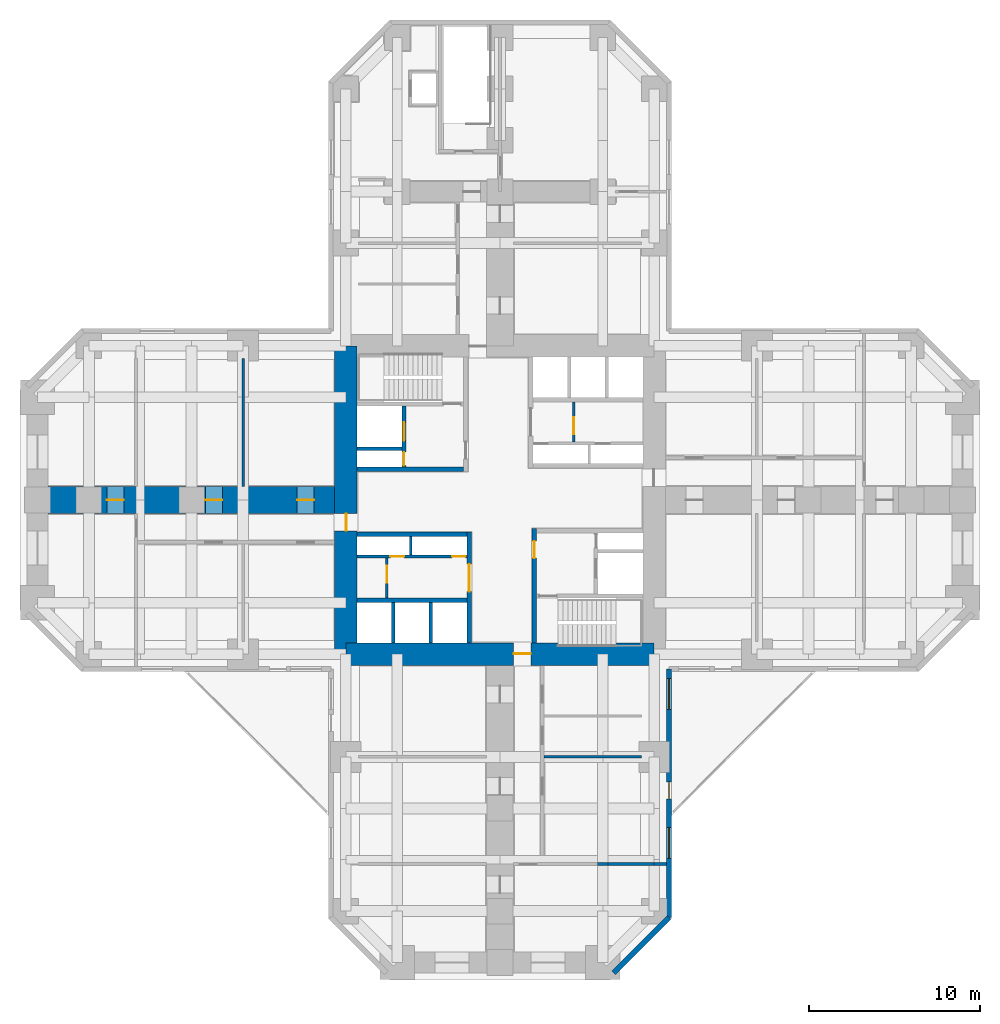
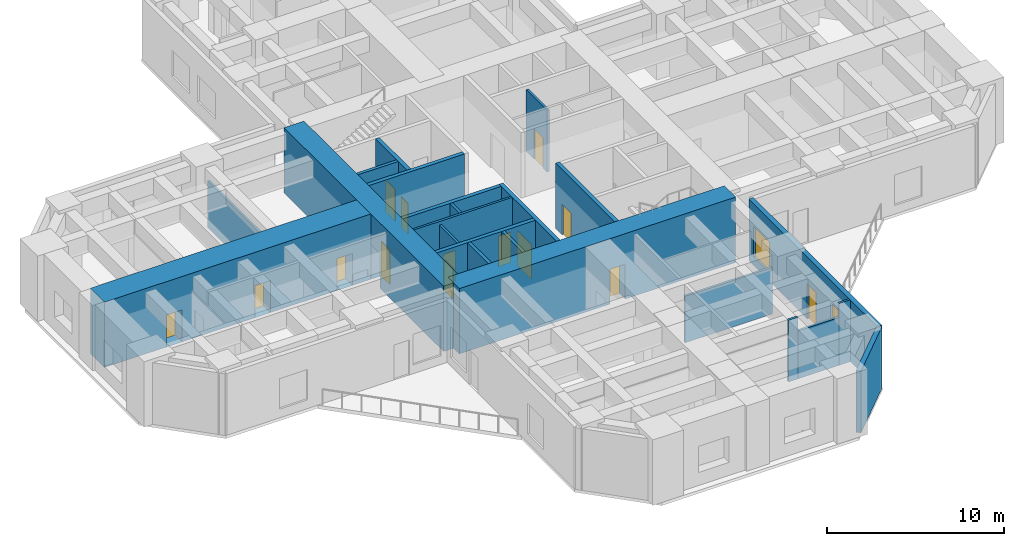
# One storey, part 4 of 8: 23 walls, 14 doors, 2 windows, 16 openings.
"""IFC4 building model written with IfcOpenShell, lengths in metres."""

from ifc_helpers import new_model, si_unit, direction, frame, frame_2d, origin, place, context, subcontext, project, spatial, rectangle, hollow_rectangle, extrude, material, layer, layer_set, constituent, constituent_set, type_object, element, fill, save


model = new_model("IFC4")

# Units and contexts
model_context = context("Model", 3, precision=1e-05, world=origin(), true_north=direction((0.0, 1.0)))
body_context = subcontext(model_context, "Body", "Model", "MODEL_VIEW")
ifc_project = project(units=[si_unit("LENGTHUNIT", "METRE"), si_unit("AREAUNIT", "SQUARE_METRE"), si_unit("VOLUMEUNIT", "CUBIC_METRE"), si_unit("PLANEANGLEUNIT", "RADIAN"), si_unit("MASSUNIT", "GRAM", prefix="KILO")], contexts=[model_context])

# Site, building, storey
site_placement = place(None, origin())
site = spatial("IfcSite", under=ifc_project, at=site_placement, CompositionType="ELEMENT")
building_placement = place(site_placement, origin())
building = spatial("IfcBuilding", under=site, at=building_placement, Name="Torre Cruceta", CompositionType="ELEMENT")
storey_placement = place(building_placement, frame((0.0, 0.0, 14.0)))
storey = spatial("IfcBuildingStorey", under=building, at=storey_placement, Name="L03", CompositionType="ELEMENT", Elevation=14.0)

# Wall
ifc_material_1 = material(Name="Concrete G60 (fck 60 MPa)", Category="concrete")
ifc_layer_1 = layer(ifc_material_1, 0.25)
ifc_layer_set_1 = layer_set([ifc_layer_1], Name="Concrete G60 (fck 60 MPa)")
wall_type_1 = type_object("IfcWallType", Name="CORE INNER WALL 250 G60", PredefinedType="SHEAR", material=ifc_layer_set_1)
wall_1_placement = place(storey_placement, frame((-2.125, 1.800048828125, 0.0), z_axis=(0.0, 0.0, 1.0), x_axis=(-1.0, 0.0, 0.0)))
element("IfcWall", 1, at=wall_1_placement, inside=storey, type_object=wall_type_1, Name="CW4 L03 NW-CV", PredefinedType="SHEAR", context=body_context, shape_type="SweptSolid", body=[
    extrude(rectangle(XDim=6.22509765625, YDim=0.25, at=frame_2d((3.112548828125, 0.0))), origin(), (0.0, 0.0, 1.0), 4.5),
])

# Wall, openings, doors
wall_2_placement = place(storey_placement, frame((-5.60009765625, 1.925048828125, 0.0), z_axis=(0.0, 0.0, 1.0), x_axis=(0.0, 1.0, 0.0)))
wall_2 = element("IfcWall", 2, at=wall_2_placement, inside=storey, type_object=wall_type_1, Name="CW4 L03 NW-FU", PredefinedType="SHEAR", context=body_context, shape_type="SweptSolid", body=[
    extrude(rectangle(XDim=3.550048828125, YDim=0.25, at=frame_2d((1.77490234375, 0.0))), origin(), (0.0, 0.0, 1.0), 4.5),
])
opening_1_placement = place(wall_2_placement, frame((1.52490234375, 0.0, 0.0)))
opening_1 = element("IfcOpeningElement", 3, at=opening_1_placement, cuts=wall_2, Name="Opening LD1", PredefinedType="OPENING", context=body_context, shape_type="SweptSolid", body=[
    extrude(rectangle(XDim=1.10009765625, YDim=2.199951171875, at=frame_2d((0.550048828125, 1.10009765625))), frame((0.0, 0.135009765625, 0.0), z_axis=(0.0, -1.0, 0.0), x_axis=(1.0, 0.0, 0.0)), (0.0, 0.0, 1.0), 0.27001953125),
])
opening_2_placement = place(wall_2_placement, frame((0.074951171875, 0.0, 0.0)))
opening_2 = element("IfcOpeningElement", 4, at=opening_2_placement, cuts=wall_2, Name="Opening D5", PredefinedType="OPENING", context=body_context, shape_type="SweptSolid", body=[
    extrude(rectangle(XDim=0.800048828125, YDim=2.10009765625, at=frame_2d((0.39990234375, 1.050048828125))), frame((0.0, 0.135009765625, 0.0), z_axis=(0.0, -1.0, 0.0), x_axis=(1.0, 0.0, 0.0)), (0.0, 0.0, 1.0), 0.27001953125),
])
ifc_material_2 = material(Name="Stainless steel 1.4401", Category="steel")
door_type_1 = type_object("IfcDoorType", Name="LIFT LANDING DOOR 1100X2200", OperationType="DOUBLE_DOOR_SLIDING", PredefinedType="DOOR", material=ifc_material_2)
door_1_placement = place(opening_1_placement, origin())
door_1 = element("IfcDoor", 5, at=door_1_placement, inside=storey, type_object=door_type_1, Name="Lift landing door FL1", OperationType="DOUBLE_DOOR_SLIDING", OverallHeight=2.199951171875, OverallWidth=1.10009765625, PredefinedType="DOOR", context=body_context, shape_type="SweptSolid", body=[
    extrude(rectangle(XDim=1.10009765625, YDim=2.199951171875, at=frame_2d((0.550048828125, 1.10009765625))), frame((0.0, 0.02490234375, 0.0), z_axis=(0.0, -1.0, 0.0), x_axis=(1.0, 0.0, 0.0)), (0.0, 0.0, 1.0), 0.050048828125),
])
fill(opening_1, door_1)
ifc_material_3 = material(Name="Steel DX51D", Category="steel")
ifc_constituent_1 = constituent(ifc_material_3, Name="Leaf and frame")
ifc_material_4 = material(Name="Polyester powder coating", Category="paint")
ifc_constituent_2 = constituent(ifc_material_4, Name="Finish")
ifc_constituent_set_1 = constituent_set(constituents=[ifc_constituent_1, ifc_constituent_2], Name="Steel fire door")
door_type_2 = type_object("IfcDoorType", Name="RISER ACCESS DOOR 800X2100", OperationType="SINGLE_SWING_LEFT", PredefinedType="DOOR", material=ifc_constituent_set_1)
door_2_placement = place(opening_2_placement, origin())
door_2 = element("IfcDoor", 6, at=door_2_placement, inside=storey, type_object=door_type_2, Name="D5 L03 NW-RISER", OperationType="SINGLE_SWING_LEFT", OverallHeight=2.10009765625, OverallWidth=0.800048828125, PredefinedType="DOOR", context=body_context, shape_type="SweptSolid", body=[
    extrude(rectangle(XDim=0.800048828125, YDim=2.10009765625, at=frame_2d((0.39990234375, 1.050048828125))), frame((0.0, 0.02490234375, 0.0), z_axis=(0.0, -1.0, 0.0), x_axis=(1.0, 0.0, 0.0)), (0.0, 0.0, 1.0), 0.050048828125),
])
fill(opening_2, door_2)

# Wall, opening, door
wall_3_placement = place(storey_placement, frame((-1.800048828125, -1.875, 0.0), z_axis=(0.0, 0.0, 1.0), x_axis=(0.0, -1.0, 0.0)))
wall_3 = element("IfcWall", 7, at=wall_3_placement, inside=storey, type_object=wall_type_1, Name="CW4 L03 SW-CU", PredefinedType="SHEAR", context=body_context, shape_type="SweptSolid", body=[
    extrude(rectangle(XDim=6.47509765625, YDim=0.25, at=frame_2d((3.237548828125, 0.0))), origin(), (0.0, 0.0, 1.0), 4.5),
])
opening_3_placement = place(wall_3_placement, frame((1.875, 0.0, 0.0)))
opening_3 = element("IfcOpeningElement", 8, at=opening_3_placement, cuts=wall_3, Name="Opening D15", PredefinedType="OPENING", context=body_context, shape_type="SweptSolid", body=[
    extrude(rectangle(XDim=1.60009765625, YDim=2.39990234375, at=frame_2d((0.800048828125, 1.199951171875))), frame((0.0, 0.135009765625, 0.0), z_axis=(0.0, -1.0, 0.0), x_axis=(1.0, 0.0, 0.0)), (0.0, 0.0, 1.0), 0.27001953125),
])
ifc_material_5 = material(Name="Steel DX51D", Category="steel")
ifc_constituent_3 = constituent(ifc_material_5, Name="Leaf and frame")
ifc_material_6 = material(Name="Polyester powder coating", Category="paint")
ifc_constituent_4 = constituent(ifc_material_6, Name="Finish")
ifc_constituent_set_2 = constituent_set(constituents=[ifc_constituent_3, ifc_constituent_4], Name="Steel fire door")
door_type_3 = type_object("IfcDoorType", Name="CORE ROOM DOUBLE DOOR 1600X2400", OperationType="DOUBLE_DOOR_SINGLE_SWING", PredefinedType="DOOR", material=ifc_constituent_set_2)
door_3_placement = place(opening_3_placement, frame((1.60009765625, 0.0, 0.0), z_axis=(0.0, 0.0, 1.0), x_axis=(-1.0, 0.0, 0.0)))
door_3 = element("IfcDoor", 9, at=door_3_placement, inside=storey, type_object=door_type_3, Name="D15 L03 SW-LOBBY", OperationType="DOUBLE_DOOR_SINGLE_SWING", OverallHeight=2.39990234375, OverallWidth=1.60009765625, PredefinedType="DOOR", context=body_context, shape_type="SweptSolid", body=[
    extrude(rectangle(XDim=1.60009765625, YDim=2.39990234375, at=frame_2d((0.800048828125, 1.199951171875))), frame((0.0, 0.025146484375, 0.0), z_axis=(0.0, -1.0, 0.0), x_axis=(1.0, 0.0, 0.0)), (0.0, 0.0, 1.0), 0.050048828125),
])
fill(opening_3, door_3)

# Walls
for number, where, z_axis, x_axis, name in (
    (10, (-1.925048828125, -2.0, 0.0), (0.0, 0.0, 1.0), (-1.0, 0.0, 0.0), "CW4 L03 SW-CV"),
    (11, (-1.925048828125, -5.85009765625, 0.0), (0.0, 0.0, 1.0), (-1.0, 0.0, 0.0), "CW4 L03 SW-LV"),
):
    element("IfcWall", number, at=place(storey_placement, frame(where, z_axis=z_axis, x_axis=x_axis)), inside=storey, type_object=wall_type_1, Name=name, PredefinedType="SHEAR", context=body_context, shape_type="SweptSolid", body=[
        extrude(rectangle(XDim=6.425048828125, YDim=0.25, at=frame_2d((3.21240234375, 0.0))), origin(), (0.0, 0.0, 1.0), 4.5),
    ])

# Wall, opening, door
wall_4_placement = place(storey_placement, frame((2.0, -1.675048828125, 0.0), z_axis=(0.0, 0.0, 1.0), x_axis=(0.0, -1.0, 0.0)))
wall_4 = element("IfcWall", 12, at=wall_4_placement, inside=storey, type_object=wall_type_1, Name="CW4 L03 SE-CU", PredefinedType="SHEAR", context=body_context, shape_type="SweptSolid", body=[
    extrude(rectangle(XDim=6.675048828125, YDim=0.25, at=frame_2d((3.33740234375, 0.0))), origin(), (0.0, 0.0, 1.0), 4.5),
])
opening_4_placement = place(wall_4_placement, frame((0.72509765625, 0.0, 0.0)))
opening_4 = element("IfcOpeningElement", 13, at=opening_4_placement, cuts=wall_4, Name="Opening D3", PredefinedType="OPENING", context=body_context, shape_type="SweptSolid", body=[
    extrude(rectangle(XDim=1.0, YDim=2.10009765625, at=frame_2d((0.5, 1.050048828125))), frame((0.0, 0.135009765625, 0.0), z_axis=(0.0, -1.0, 0.0), x_axis=(1.0, 0.0, 0.0)), (0.0, 0.0, 1.0), 0.27001953125),
])
ifc_material_7 = material(Name="Steel DX51D", Category="steel")
ifc_constituent_5 = constituent(ifc_material_7, Name="Leaf and frame")
ifc_material_8 = material(Name="Polyester powder coating", Category="paint")
ifc_constituent_6 = constituent(ifc_material_8, Name="Finish")
ifc_constituent_set_3 = constituent_set(constituents=[ifc_constituent_5, ifc_constituent_6], Name="Steel fire door")
door_type_4 = type_object("IfcDoorType", Name="FIRE DOOR 1000X2100", OperationType="SINGLE_SWING_LEFT", PredefinedType="DOOR", material=ifc_constituent_set_3)
door_4_placement = place(opening_4_placement, origin())
door_4 = element("IfcDoor", 14, at=door_4_placement, inside=storey, type_object=door_type_4, Name="D3 L03 SE-LOBBY", OperationType="SINGLE_SWING_LEFT", OverallHeight=2.10009765625, OverallWidth=1.0, PredefinedType="DOOR", context=body_context, shape_type="SweptSolid", body=[
    extrude(rectangle(XDim=1.0, YDim=2.10009765625, at=frame_2d((0.5, 1.050048828125))), frame((0.0, 0.02490234375, 0.0), z_axis=(0.0, -1.0, 0.0), x_axis=(1.0, 0.0, 0.0)), (0.0, 0.0, 1.0), 0.050048828125),
])
fill(opening_4, door_4)

ifc_material_9 = material(Name="Concrete G60 (fck 60 MPa)", Category="concrete")
ifc_layer_2 = layer(ifc_material_9, 1.300048828125)
ifc_layer_set_2 = layer_set([ifc_layer_2], Name="Concrete G60 (fck 60 MPa)")
wall_type_2 = type_object("IfcWallType", Name="CORE WALL 1300 G60", PredefinedType="SHEAR", material=ifc_layer_set_2)
wall_5_placement = place(storey_placement, frame((-9.0, -9.0, 0.0), z_axis=(0.0, 0.0, 1.0), x_axis=(1.0, 0.0, 0.0)))
wall_5 = element("IfcWall", 15, at=wall_5_placement, inside=storey, type_object=wall_type_2, Name="CW1 L03 CW-S", PredefinedType="SHEAR", context=body_context, shape_type="SweptSolid", body=[
    extrude(rectangle(XDim=18.0, YDim=1.300048828125, at=frame_2d((9.0, 0.0))), origin(), (0.0, 0.0, 1.0), 4.5),
])
opening_5_placement = place(wall_5_placement, frame((9.800048828125, 0.0, 0.0)))
opening_5 = element("IfcOpeningElement", 16, at=opening_5_placement, cuts=wall_5, Name="Opening D4", PredefinedType="OPENING", context=body_context, shape_type="SweptSolid", body=[
    extrude(rectangle(XDim=1.0, YDim=2.39990234375, at=frame_2d((0.5, 1.199951171875))), frame((0.0, 0.659912109375, 0.0), z_axis=(0.0, -1.0, 0.0), x_axis=(1.0, 0.0, 0.0)), (0.0, 0.0, 1.0), 1.320068359375),
])
ifc_material_10 = material(Name="Steel DX51D", Category="steel")
ifc_constituent_7 = constituent(ifc_material_10, Name="Leaf and frame")
ifc_material_11 = material(Name="Polyester powder coating", Category="paint")
ifc_constituent_8 = constituent(ifc_material_11, Name="Finish")
ifc_constituent_set_4 = constituent_set(constituents=[ifc_constituent_7, ifc_constituent_8], Name="Steel fire door")
door_type_5 = type_object("IfcDoorType", Name="CORE ARM DOOR 1000X2400", OperationType="SINGLE_SWING_RIGHT", PredefinedType="DOOR", material=ifc_constituent_set_4)
door_5_placement = place(opening_5_placement, origin())
door_5 = element("IfcDoor", 17, at=door_5_placement, inside=storey, type_object=door_type_5, Name="D4 L03 CW-S", OperationType="SINGLE_SWING_RIGHT", OverallHeight=2.39990234375, OverallWidth=1.0, PredefinedType="DOOR", context=body_context, shape_type="SweptSolid", body=[
    extrude(rectangle(XDim=1.0, YDim=2.39990234375, at=frame_2d((0.5, 1.199951171875))), frame((0.0, 0.05517578125, 0.0), z_axis=(0.0, -1.0, 0.0), x_axis=(1.0, 0.0, 0.0)), (0.0, 0.0, 1.0), 0.050048828125),
])
fill(opening_5, door_5)

wall_6_placement = place(storey_placement, frame((-9.0, 9.0, 0.0), z_axis=(0.0, 0.0, 1.0), x_axis=(0.0, -1.0, 0.0)))
wall_6 = element("IfcWall", 18, at=wall_6_placement, inside=storey, type_object=wall_type_2, Name="CW1 L03 CW-W", PredefinedType="SHEAR", context=body_context, shape_type="SweptSolid", body=[
    extrude(rectangle(XDim=18.0, YDim=1.300048828125, at=frame_2d((9.0, 0.0))), origin(), (0.0, 0.0, 1.0), 4.5),
])
opening_6_placement = place(wall_6_placement, frame((9.800048828125, 0.0, 0.0)))
opening_6 = element("IfcOpeningElement", 19, at=opening_6_placement, cuts=wall_6, Name="Opening D4", PredefinedType="OPENING", context=body_context, shape_type="SweptSolid", body=[
    extrude(rectangle(XDim=1.0, YDim=2.39990234375, at=frame_2d((0.5, 1.199951171875))), frame((0.0, 0.659912109375, 0.0), z_axis=(0.0, -1.0, 0.0), x_axis=(1.0, 0.0, 0.0)), (0.0, 0.0, 1.0), 1.320068359375),
])
door_6_placement = place(opening_6_placement, origin())
door_6 = element("IfcDoor", 20, at=door_6_placement, inside=storey, type_object=door_type_5, Name="D4 L03 CW-W", OperationType="SINGLE_SWING_RIGHT", OverallHeight=2.39990234375, OverallWidth=1.0, PredefinedType="DOOR", context=body_context, shape_type="SweptSolid", body=[
    extrude(rectangle(XDim=1.0, YDim=2.39990234375, at=frame_2d((0.5, 1.199951171875))), frame((0.0, 0.05517578125, 0.0), z_axis=(0.0, -1.0, 0.0), x_axis=(1.0, 0.0, 0.0)), (0.0, 0.0, 1.0), 0.050048828125),
])
fill(opening_6, door_6)

# Wall
ifc_material_12 = material(Name="Concrete G30 (fck 30 MPa)", Category="concrete")
ifc_layer_3 = layer(ifc_material_12, 0.300048828125)
ifc_layer_set_3 = layer_set([ifc_layer_3], Name="Concrete G30 (fck 30 MPa)")
wall_type_3 = type_object("IfcWallType", Name="EXPOSED CONCRETE FACADE WALL 300", PredefinedType="SOLIDWALL", material=ifc_layer_set_3)
wall_7_placement = place(storey_placement, frame((6.63037109375, -27.60009765625, 0.0), z_axis=(0.0, 0.0, 1.0), x_axis=(0.707106781187, 0.707106781187, 0.0)))
element("IfcWall", 21, at=wall_7_placement, inside=storey, type_object=wall_type_3, Name="EW1 facade wall L03 S chamfer 18", PredefinedType="SOLIDWALL", context=body_context, shape_type="SweptSolid", body=[
    extrude(rectangle(XDim=4.581787109375, YDim=0.300048828125, at=frame_2d((2.291015625, 0.0))), origin(), (0.0, 0.0, 1.0), 4.25),
])

# Wall, openings, door, windows
wall_8_placement = place(storey_placement, frame((9.8701171875, -24.3603515625, 0.0), z_axis=(0.0, 0.0, 1.0), x_axis=(0.0, 1.0, 0.0)))
wall_8 = element("IfcWall", 22, at=wall_8_placement, inside=storey, type_object=wall_type_3, Name="EW1 facade wall L03 S side 19", PredefinedType="SOLIDWALL", context=body_context, shape_type="SweptSolid", body=[
    extrude(rectangle(XDim=14.490234375, YDim=0.300048828125, at=frame_2d((7.2451171875, 0.0))), origin(), (0.0, 0.0, 1.0), 4.25),
])
opening_7_placement = place(wall_8_placement, frame((6.89990234375, 0.0, 0.0)))
opening_7 = element("IfcOpeningElement", 23, at=opening_7_placement, cuts=wall_8, Name="Opening D11", PredefinedType="OPENING", context=body_context, shape_type="SweptSolid", body=[
    extrude(rectangle(XDim=1.0, YDim=2.39990234375, at=frame_2d((0.5, 1.199951171875))), frame((0.0, 0.159912109375, 0.0), z_axis=(0.0, -1.0, 0.0), x_axis=(1.0, 0.0, 0.0)), (0.0, 0.0, 1.0), 0.320068359375),
])
opening_8_placement = place(wall_8_placement, frame((3.447021484375, 0.0, 0.60009765625)))
opening_8 = element("IfcOpeningElement", 24, at=opening_8_placement, cuts=wall_8, Name="Opening WN4", PredefinedType="OPENING", context=body_context, shape_type="SweptSolid", body=[
    extrude(rectangle(XDim=1.800048828125, YDim=2.10009765625, at=frame_2d((0.89990234375, 1.050048828125))), frame((0.0, 0.159912109375, 0.0), z_axis=(0.0, -1.0, 0.0), x_axis=(1.0, 0.0, 0.0)), (0.0, 0.0, 1.0), 0.320068359375),
])
opening_9_placement = place(wall_8_placement, frame((12.141357421875, 0.0, 0.60009765625)))
opening_9 = element("IfcOpeningElement", 25, at=opening_9_placement, cuts=wall_8, Name="Opening WN4", PredefinedType="OPENING", context=body_context, shape_type="SweptSolid", body=[
    extrude(rectangle(XDim=1.800048828125, YDim=2.10009765625, at=frame_2d((0.89990234375, 1.050048828125))), frame((0.0, 0.159912109375, 0.0), z_axis=(0.0, -1.0, 0.0), x_axis=(1.0, 0.0, 0.0)), (0.0, 0.0, 1.0), 0.320068359375),
])
ifc_material_13 = material(Name="Aluminium door frame", Category="aluminium")
ifc_constituent_9 = constituent(ifc_material_13, Name="Frame")
ifc_material_14 = material(Name="Laminated safety glass", Category="glass")
ifc_constituent_10 = constituent(ifc_material_14, Name="Glazing")
ifc_constituent_set_5 = constituent_set(constituents=[ifc_constituent_9, ifc_constituent_10], Name="Aluminium glazed door")
door_type_6 = type_object("IfcDoorType", Name="TERRACE DOOR 1000X2400", OperationType="SINGLE_SWING_LEFT", PredefinedType="DOOR", material=ifc_constituent_set_5)
door_7_placement = place(opening_7_placement, origin())
door_7 = element("IfcDoor", 26, at=door_7_placement, inside=storey, type_object=door_type_6, Name="D11 terrace door L03 S", OperationType="SINGLE_SWING_LEFT", OverallHeight=2.39990234375, OverallWidth=1.0, PredefinedType="DOOR", context=body_context, shape_type="SweptSolid", body=[
    extrude(hollow_rectangle(XDim=1.0, YDim=2.39990234375, WallThickness=0.06005859375, at=frame_2d((0.5, 1.199951171875))), frame((0.0, 0.02490234375, 0.0), z_axis=(0.0, -1.0, 0.0), x_axis=(1.0, 0.0, 0.0)), (0.0, 0.0, 1.0), 0.050048828125),
    extrude(rectangle(XDim=0.87890625, YDim=2.27880859375, at=frame_2d((0.5, 1.199951171875))), frame((0.0, 0.02490234375, 0.0), z_axis=(0.0, -1.0, 0.0), x_axis=(1.0, 0.0, 0.0)), (0.0, 0.0, 1.0), 0.050048828125),
])
fill(opening_7, door_7)
ifc_material_15 = material(Name="Aluminium window frame", Category="aluminium")
ifc_constituent_11 = constituent(ifc_material_15, Name="Frame")
ifc_material_16 = material(Name="Laminated insulating glass unit, low-iron clear", Category="glass")
ifc_constituent_12 = constituent(ifc_material_16, Name="Glazing")
ifc_constituent_set_6 = constituent_set(constituents=[ifc_constituent_11, ifc_constituent_12], Name="Aluminium window")
window_type = type_object("IfcWindowType", Name="TERRACE FRONT WINDOW 1800X2100", PartitioningType="SINGLE_PANEL", PredefinedType="WINDOW", material=ifc_constituent_set_6)
window_1_placement = place(opening_8_placement, origin())
window_1 = element("IfcWindow", 27, at=window_1_placement, inside=storey, type_object=window_type, Name="WN4 L03 S 2", OverallHeight=2.10009765625, OverallWidth=1.800048828125, PartitioningType="SINGLE_PANEL", PredefinedType="WINDOW", context=body_context, shape_type="SweptSolid", body=[
    extrude(hollow_rectangle(XDim=1.800048828125, YDim=2.10009765625, WallThickness=0.06005859375, at=frame_2d((0.89990234375, 1.050048828125))), frame((0.0, 0.030029296875, 0.0), z_axis=(0.0, -1.0, 0.0), x_axis=(1.0, 0.0, 0.0)), (0.0, 0.0, 1.0), 0.06005859375),
    extrude(rectangle(XDim=1.678955078125, YDim=1.97900390625, at=frame_2d((0.89990234375, 1.050048828125))), frame((0.0, 0.030029296875, 0.0), z_axis=(0.0, -1.0, 0.0), x_axis=(1.0, 0.0, 0.0)), (0.0, 0.0, 1.0), 0.06005859375),
])
fill(opening_8, window_1)
window_2_placement = place(opening_9_placement, origin())
window_2 = element("IfcWindow", 28, at=window_2_placement, inside=storey, type_object=window_type, Name="WN4 L03 S 5", OverallHeight=2.10009765625, OverallWidth=1.800048828125, PartitioningType="SINGLE_PANEL", PredefinedType="WINDOW", context=body_context, shape_type="SweptSolid", body=[
    extrude(hollow_rectangle(XDim=1.800048828125, YDim=2.10009765625, WallThickness=0.06005859375, at=frame_2d((0.89990234375, 1.050048828125))), frame((0.0, 0.030029296875, 0.0), z_axis=(0.0, -1.0, 0.0), x_axis=(1.0, 0.0, 0.0)), (0.0, 0.0, 1.0), 0.06005859375),
    extrude(rectangle(XDim=1.678955078125, YDim=1.97900390625, at=frame_2d((0.89990234375, 1.050048828125))), frame((0.0, 0.030029296875, 0.0), z_axis=(0.0, -1.0, 0.0), x_axis=(1.0, 0.0, 0.0)), (0.0, 0.0, 1.0), 0.06005859375),
])
fill(opening_9, window_2)

# Walls
ifc_material_17 = material(Name="Concrete G35 (fck 35 MPa)", Category="concrete")
ifc_layer_4 = layer(ifc_material_17, 0.199951171875)
ifc_layer_set_4 = layer_set([ifc_layer_4], Name="Concrete G35 (fck 35 MPa)")
wall_type_4 = type_object("IfcWallType", Name="LIFT SHAFT WALL 200", PredefinedType="PARTITIONING", material=ifc_layer_set_4)
wall_9_placement = place(storey_placement, frame((-5.72509765625, 3.0, 0.0), z_axis=(0.0, 0.0, 1.0), x_axis=(-1.0, 0.0, 0.0)))
element("IfcWall", 29, at=wall_9_placement, inside=storey, type_object=wall_type_4, Name="SW1 L03 NW-FR", PredefinedType="PARTITIONING", context=body_context, shape_type="SweptSolid", body=[
    extrude(rectangle(XDim=2.625, YDim=0.199951171875, at=frame_2d((1.3125, 0.0))), origin(), (0.0, 0.0, 1.0), 4.5),
])
for number, where, z_axis, x_axis, name in (
    (30, (-4.033447265625, -5.97509765625, 0.0), (0.0, 0.0, 1.0), (0.0, -1.0, 0.0), "SW1 L03 SW-LS1"),
    (31, (-6.24169921875, -5.97509765625, 0.0), (0.0, 0.0, 1.0), (0.0, -1.0, 0.0), "SW1 L03 SW-LS2"),
):
    element("IfcWall", number, at=place(storey_placement, frame(where, z_axis=z_axis, x_axis=x_axis)), inside=storey, type_object=wall_type_4, Name=name, PredefinedType="PARTITIONING", context=body_context, shape_type="SweptSolid", body=[
        extrude(rectangle(XDim=2.375, YDim=0.199951171875, at=frame_2d((1.1875, 0.0))), origin(), (0.0, 0.0, 1.0), 4.5),
    ])

# Wall, opening, door
ifc_material_18 = material(Name="Plasterboard on steel studs", Category="steel")
ifc_layer_5 = layer(ifc_material_18, 0.14990234375)
ifc_layer_set_5 = layer_set([ifc_layer_5], Name="Plasterboard on steel studs")
wall_type_5 = type_object("IfcWallType", Name="PARTITION 150", PredefinedType="PARTITIONING", material=ifc_layer_set_5)
wall_10_placement = place(storey_placement, frame((4.300048828125, 3.375, 0.0), z_axis=(0.0, 0.0, 1.0), x_axis=(0.0, 1.0, 0.0)))
wall_10 = element("IfcWall", 32, at=wall_10_placement, inside=storey, type_object=wall_type_5, Name="PT1 L03-CORE-NE-X", PredefinedType="PARTITIONING", context=body_context, shape_type="SweptSolid", body=[
    extrude(rectangle(XDim=2.35009765625, YDim=0.14990234375, at=frame_2d((1.175048828125, 0.0))), origin(), (0.0, 0.0, 1.0), 4.25),
])
opening_10_placement = place(wall_10_placement, frame((0.449951171875, 0.0, 0.0)))
opening_10 = element("IfcOpeningElement", 33, at=opening_10_placement, cuts=wall_10, Name="Opening D3", PredefinedType="OPENING", context=body_context, shape_type="SweptSolid", body=[
    extrude(rectangle(XDim=1.0, YDim=2.10009765625, at=frame_2d((0.5, 1.050048828125))), frame((0.0, 0.0849609375, 0.0), z_axis=(0.0, -1.0, 0.0), x_axis=(1.0, 0.0, 0.0)), (0.0, 0.0, 1.0), 0.169921875),
])
door_8_placement = place(opening_10_placement, origin())
door_8 = element("IfcDoor", 34, at=door_8_placement, inside=storey, type_object=door_type_4, Name="D3 L03-CORE-NE-X-D1", OperationType="SINGLE_SWING_LEFT", OverallHeight=2.10009765625, OverallWidth=1.0, PredefinedType="DOOR", context=body_context, shape_type="SweptSolid", body=[
    extrude(rectangle(XDim=1.0, YDim=2.10009765625, at=frame_2d((0.5, 1.050048828125))), frame((0.0, 0.02490234375, 0.0), z_axis=(0.0, -1.0, 0.0), x_axis=(1.0, 0.0, 0.0)), (0.0, 0.0, 1.0), 0.050048828125),
])
fill(opening_10, door_8)

wall_11_placement = place(storey_placement, frame((-6.60009765625, -3.375, 0.0), z_axis=(0.0, 0.0, 1.0), x_axis=(0.0, -1.0, 0.0)))
wall_11 = element("IfcWall", 35, at=wall_11_placement, inside=storey, type_object=wall_type_5, Name="PT1 L03-CORE-SW-X", PredefinedType="PARTITIONING", context=body_context, shape_type="SweptSolid", body=[
    extrude(rectangle(XDim=2.35009765625, YDim=0.14990234375, at=frame_2d((1.175048828125, 0.0))), origin(), (0.0, 0.0, 1.0), 4.25),
])
opening_11_placement = place(wall_11_placement, frame((0.449951171875, 0.0, 0.0)))
opening_11 = element("IfcOpeningElement", 36, at=opening_11_placement, cuts=wall_11, Name="Opening D3", PredefinedType="OPENING", context=body_context, shape_type="SweptSolid", body=[
    extrude(rectangle(XDim=1.0, YDim=2.10009765625, at=frame_2d((0.5, 1.050048828125))), frame((0.0, 0.0849609375, 0.0), z_axis=(0.0, -1.0, 0.0), x_axis=(1.0, 0.0, 0.0)), (0.0, 0.0, 1.0), 0.169921875),
])
door_9_placement = place(opening_11_placement, frame((1.0, 0.0, 0.0), z_axis=(0.0, 0.0, 1.0), x_axis=(-1.0, 0.0, 0.0)))
door_9 = element("IfcDoor", 37, at=door_9_placement, inside=storey, type_object=door_type_4, Name="D3 L03-CORE-SW-X-D1", OperationType="SINGLE_SWING_RIGHT", OverallHeight=2.10009765625, OverallWidth=1.0, PredefinedType="DOOR", context=body_context, shape_type="SweptSolid", body=[
    extrude(rectangle(XDim=1.0, YDim=2.10009765625, at=frame_2d((0.5, 1.050048828125))), frame((0.0, 0.025146484375, 0.0), z_axis=(0.0, -1.0, 0.0), x_axis=(1.0, 0.0, 0.0)), (0.0, 0.0, 1.0), 0.050048828125),
])
fill(opening_11, door_9)

# Walls
wall_12_placement = place(storey_placement, frame((2.574951171875, -15.0, 0.0), z_axis=(0.0, 0.0, 1.0), x_axis=(1.0, 0.0, 0.0)))
element("IfcWall", 38, at=wall_12_placement, inside=storey, type_object=wall_type_5, Name="PT1 L03-S-P1L", PredefinedType="PARTITIONING", context=body_context, shape_type="SweptSolid", body=[
    extrude(rectangle(XDim=5.675048828125, YDim=0.14990234375, at=frame_2d((2.83740234375, 0.0))), origin(), (0.0, 0.0, 1.0), 3.199951171875),
])
wall_13_placement = place(storey_placement, frame((5.699951171875, -21.25, 0.0), z_axis=(0.0, 0.0, 1.0), x_axis=(1.0, 0.0, 0.0)))
element("IfcWall", 39, at=wall_13_placement, inside=storey, type_object=wall_type_5, Name="PT1 L03-S-ENDb 2", PredefinedType="PARTITIONING", context=body_context, shape_type="SweptSolid", body=[
    extrude(rectangle(XDim=0.60009765625, YDim=0.14990234375, at=frame_2d((0.300048828125, 0.0))), origin(), (0.0, 0.0, 1.0), 4.25),
])
wall_14_placement = place(storey_placement, frame((6.300048828125, -21.25, 0.0), z_axis=(0.0, 0.0, 1.0), x_axis=(1.0, 0.0, 0.0)))
element("IfcWall", 40, at=wall_14_placement, inside=storey, type_object=wall_type_5, Name="PT1 L03-S-ENDb 3", PredefinedType="PARTITIONING", context=body_context, shape_type="SweptSolid", body=[
    extrude(rectangle(XDim=2.699951171875, YDim=0.14990234375, at=frame_2d((1.35009765625, 0.0))), origin(), (0.0, 0.0, 1.0), 3.300048828125),
])
wall_15_placement = place(storey_placement, frame((9.0, -21.25, 0.0), z_axis=(0.0, 0.0, 1.0), x_axis=(1.0, 0.0, 0.0)))
element("IfcWall", 41, at=wall_15_placement, inside=storey, type_object=wall_type_5, Name="PT1 L03-S-ENDb 4", PredefinedType="PARTITIONING", context=body_context, shape_type="SweptSolid", body=[
    extrude(rectangle(XDim=0.719970703125, YDim=0.14990234375, at=frame_2d((0.35986328125, 0.0))), origin(), (0.0, 0.0, 1.0), 4.25),
])
wall_16_placement = place(storey_placement, frame((-15.0, 8.25, 0.0), z_axis=(0.0, 0.0, 1.0), x_axis=(0.0, -1.0, 0.0)))
element("IfcWall", 42, at=wall_16_placement, inside=storey, type_object=wall_type_5, Name="PT1 L03-W-P1R", PredefinedType="PARTITIONING", context=body_context, shape_type="SweptSolid", body=[
    extrude(rectangle(XDim=7.449951171875, YDim=0.14990234375, at=frame_2d((3.72509765625, 0.0))), origin(), (0.0, 0.0, 1.0), 3.199951171875),
])

# Wall, openings, doors
ifc_material_19 = material(Name="Concrete block masonry", Category="masonry")
ifc_layer_6 = layer(ifc_material_19, 0.14990234375)
ifc_layer_set_6 = layer_set([ifc_layer_6], Name="Concrete block masonry")
wall_type_6 = type_object("IfcWallType", Name="RISER WALL 150", PredefinedType="PARTITIONING", material=ifc_layer_set_6)
wall_17_placement = place(storey_placement, frame((-1.925048828125, -3.300048828125, 0.0), z_axis=(0.0, 0.0, 1.0), x_axis=(-1.0, 0.0, 0.0)))
wall_17 = element("IfcWall", 43, at=wall_17_placement, inside=storey, type_object=wall_type_6, Name="SW7 L03 SW-RV", PredefinedType="PARTITIONING", context=body_context, shape_type="SweptSolid", body=[
    extrude(rectangle(XDim=6.425048828125, YDim=0.14990234375, at=frame_2d((3.21240234375, 0.0))), origin(), (0.0, 0.0, 1.0), 4.5),
])
opening_12_placement = place(wall_17_placement, frame((0.074951171875, 0.0, 0.0)))
opening_12 = element("IfcOpeningElement", 44, at=opening_12_placement, cuts=wall_17, Name="Opening D5", PredefinedType="OPENING", context=body_context, shape_type="SweptSolid", body=[
    extrude(rectangle(XDim=0.800048828125, YDim=2.10009765625, at=frame_2d((0.39990234375, 1.050048828125))), frame((0.0, 0.0849609375, 0.0), z_axis=(0.0, -1.0, 0.0), x_axis=(1.0, 0.0, 0.0)), (0.0, 0.0, 1.0), 0.169921875),
])
opening_13_placement = place(wall_17_placement, frame((3.675048828125, 0.0, 0.0)))
opening_13 = element("IfcOpeningElement", 45, at=opening_13_placement, cuts=wall_17, Name="Opening D5", PredefinedType="OPENING", context=body_context, shape_type="SweptSolid", body=[
    extrude(rectangle(XDim=0.800048828125, YDim=2.10009765625, at=frame_2d((0.39990234375, 1.050048828125))), frame((0.0, 0.0849609375, 0.0), z_axis=(0.0, -1.0, 0.0), x_axis=(1.0, 0.0, 0.0)), (0.0, 0.0, 1.0), 0.169921875),
])
door_10_placement = place(opening_12_placement, frame((0.800048828125, 0.0, 0.0), z_axis=(0.0, 0.0, 1.0), x_axis=(-1.0, 0.0, 0.0)))
door_10 = element("IfcDoor", 46, at=door_10_placement, inside=storey, type_object=door_type_2, Name="D5 L03 SW-RISER1", OperationType="SINGLE_SWING_RIGHT", OverallHeight=2.10009765625, OverallWidth=0.800048828125, PredefinedType="DOOR", context=body_context, shape_type="SweptSolid", body=[
    extrude(rectangle(XDim=0.800048828125, YDim=2.10009765625, at=frame_2d((0.400146484375, 1.050048828125))), frame((0.0, 0.025146484375, 0.0), z_axis=(0.0, -1.0, 0.0), x_axis=(1.0, 0.0, 0.0)), (0.0, 0.0, 1.0), 0.050048828125),
])
fill(opening_12, door_10)
door_11_placement = place(opening_13_placement, frame((0.800048828125, 0.0, 0.0), z_axis=(0.0, 0.0, 1.0), x_axis=(-1.0, 0.0, 0.0)))
door_11 = element("IfcDoor", 47, at=door_11_placement, inside=storey, type_object=door_type_2, Name="D5 L03 SW-RISER2", OperationType="SINGLE_SWING_RIGHT", OverallHeight=2.10009765625, OverallWidth=0.800048828125, PredefinedType="DOOR", context=body_context, shape_type="SweptSolid", body=[
    extrude(rectangle(XDim=0.800048828125, YDim=2.10009765625, at=frame_2d((0.400146484375, 1.050048828125))), frame((0.0, 0.025146484375, 0.0), z_axis=(0.0, -1.0, 0.0), x_axis=(1.0, 0.0, 0.0)), (0.0, 0.0, 1.0), 0.050048828125),
])
fill(opening_13, door_11)

# Wall
wall_18_placement = place(storey_placement, frame((-5.199951171875, -2.125, 0.0), z_axis=(0.0, 0.0, 1.0), x_axis=(0.0, -1.0, 0.0)))
element("IfcWall", 48, at=wall_18_placement, inside=storey, type_object=wall_type_6, Name="SW7 L03 SW-RU", PredefinedType="PARTITIONING", context=body_context, shape_type="SweptSolid", body=[
    extrude(rectangle(XDim=1.10009765625, YDim=0.14990234375, at=frame_2d((0.550048828125, 0.0))), origin(), (0.0, 0.0, 1.0), 4.5),
])

# Wall, openings, doors
ifc_material_20 = material(Name="Concrete G60 (fck 60 MPa)", Category="concrete")
ifc_layer_7 = layer(ifc_material_20, 1.60009765625)
ifc_layer_set_7 = layer_set([ifc_layer_7], Name="Concrete G60 (fck 60 MPa)")
wall_type_7 = type_object("IfcWallType", Name="SPINE WALL 1600 G60", PredefinedType="SHEAR", material=ifc_layer_set_7)
wall_19_placement = place(storey_placement, frame((-9.0, 0.0, 0.0), z_axis=(0.0, 0.0, 1.0), x_axis=(-1.0, 0.0, 0.0)))
wall_19 = element("IfcWall", 49, at=wall_19_placement, inside=storey, type_object=wall_type_7, Name="SW2 spine wall L03 W", PredefinedType="SHEAR", context=body_context, shape_type="SweptSolid", body=[
    extrude(rectangle(XDim=18.0, YDim=1.60009765625, at=frame_2d((9.0, 0.0))), origin(), (0.0, 0.0, 1.0), 4.5),
])
opening_14_placement = place(wall_19_placement, frame((1.85009765625, 0.0, 0.0)))
opening_14 = element("IfcOpeningElement", 50, at=opening_14_placement, cuts=wall_19, Name="Opening D14", PredefinedType="OPENING", context=body_context, shape_type="SweptSolid", body=[
    extrude(rectangle(XDim=1.0, YDim=2.199951171875, at=frame_2d((0.5, 1.10009765625))), frame((0.0, 0.81005859375, 0.0), z_axis=(0.0, -1.0, 0.0), x_axis=(1.0, 0.0, 0.0)), (0.0, 0.0, 1.0), 1.6201171875),
])
opening_15_placement = place(wall_19_placement, frame((7.199951171875, 0.0, 0.0)))
opening_15 = element("IfcOpeningElement", 51, at=opening_15_placement, cuts=wall_19, Name="Opening D14", PredefinedType="OPENING", context=body_context, shape_type="SweptSolid", body=[
    extrude(rectangle(XDim=1.0, YDim=2.199951171875, at=frame_2d((0.5, 1.10009765625))), frame((0.0, 0.81005859375, 0.0), z_axis=(0.0, -1.0, 0.0), x_axis=(1.0, 0.0, 0.0)), (0.0, 0.0, 1.0), 1.6201171875),
])
opening_16_placement = place(wall_19_placement, frame((12.949951171875, 0.0, 0.0)))
opening_16 = element("IfcOpeningElement", 52, at=opening_16_placement, cuts=wall_19, Name="Opening D14", PredefinedType="OPENING", context=body_context, shape_type="SweptSolid", body=[
    extrude(rectangle(XDim=1.0, YDim=2.199951171875, at=frame_2d((0.5, 1.10009765625))), frame((0.0, 0.81005859375, 0.0), z_axis=(0.0, -1.0, 0.0), x_axis=(1.0, 0.0, 0.0)), (0.0, 0.0, 1.0), 1.6201171875),
])
ifc_material_21 = material(Name="Steel DX51D", Category="steel")
ifc_constituent_13 = constituent(ifc_material_21, Name="Leaf and frame")
ifc_material_22 = material(Name="Polyester powder coating", Category="paint")
ifc_constituent_14 = constituent(ifc_material_22, Name="Finish")
ifc_material_23 = material(Name="Fire-resisting glass", Category="glass")
ifc_constituent_15 = constituent(ifc_material_23, Name="Vision panel")
ifc_constituent_set_7 = constituent_set(constituents=[ifc_constituent_13, ifc_constituent_14, ifc_constituent_15], Name="Steel fire door with vision panel")
door_type_7 = type_object("IfcDoorType", Name="FIRE DOOR VISION PANEL 1000X2200", OperationType="SINGLE_SWING_RIGHT", PredefinedType="DOOR", material=ifc_constituent_set_7)
door_12_placement = place(opening_14_placement, frame((1.0, 0.0, 0.0), z_axis=(0.0, 0.0, 1.0), x_axis=(-1.0, 0.0, 0.0)))
door_12 = element("IfcDoor", 53, at=door_12_placement, inside=storey, type_object=door_type_7, Name="D14 L03-W-SP1", OperationType="SINGLE_SWING_RIGHT", OverallHeight=2.199951171875, OverallWidth=1.0, PredefinedType="DOOR", context=body_context, shape_type="SweptSolid", body=[
    extrude(rectangle(XDim=1.0, YDim=2.199951171875, at=frame_2d((0.5, 1.10009765625))), frame((0.0, 0.025146484375, 0.0), z_axis=(0.0, -1.0, 0.0), x_axis=(1.0, 0.0, 0.0)), (0.0, 0.0, 1.0), 0.050048828125),
])
fill(opening_14, door_12)
door_13_placement = place(opening_15_placement, frame((1.0, 0.0, 0.0), z_axis=(0.0, 0.0, 1.0), x_axis=(-1.0, 0.0, 0.0)))
door_13 = element("IfcDoor", 54, at=door_13_placement, inside=storey, type_object=door_type_7, Name="D14 L03-W-SP2", OperationType="SINGLE_SWING_RIGHT", OverallHeight=2.199951171875, OverallWidth=1.0, PredefinedType="DOOR", context=body_context, shape_type="SweptSolid", body=[
    extrude(rectangle(XDim=1.0, YDim=2.199951171875, at=frame_2d((0.5, 1.10009765625))), frame((0.0, 0.025146484375, 0.0), z_axis=(0.0, -1.0, 0.0), x_axis=(1.0, 0.0, 0.0)), (0.0, 0.0, 1.0), 0.050048828125),
])
fill(opening_15, door_13)
door_14_placement = place(opening_16_placement, origin())
door_14 = element("IfcDoor", 55, at=door_14_placement, inside=storey, type_object=door_type_7, Name="D14 L03-W-SP3", OperationType="SINGLE_SWING_RIGHT", OverallHeight=2.199951171875, OverallWidth=1.0, PredefinedType="DOOR", context=body_context, shape_type="SweptSolid", body=[
    extrude(rectangle(XDim=1.0, YDim=2.199951171875, at=frame_2d((0.5, 1.10009765625))), frame((0.0, 0.02490234375, 0.0), z_axis=(0.0, -1.0, 0.0), x_axis=(1.0, 0.0, 0.0)), (0.0, 0.0, 1.0), 0.050048828125),
])
fill(opening_16, door_14)

save(model, "model.ifc")
